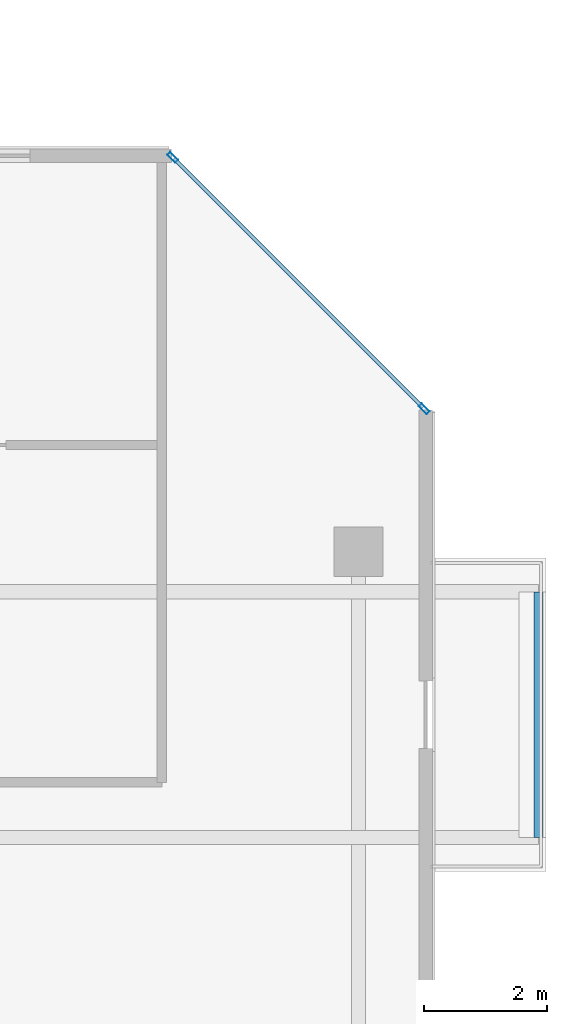
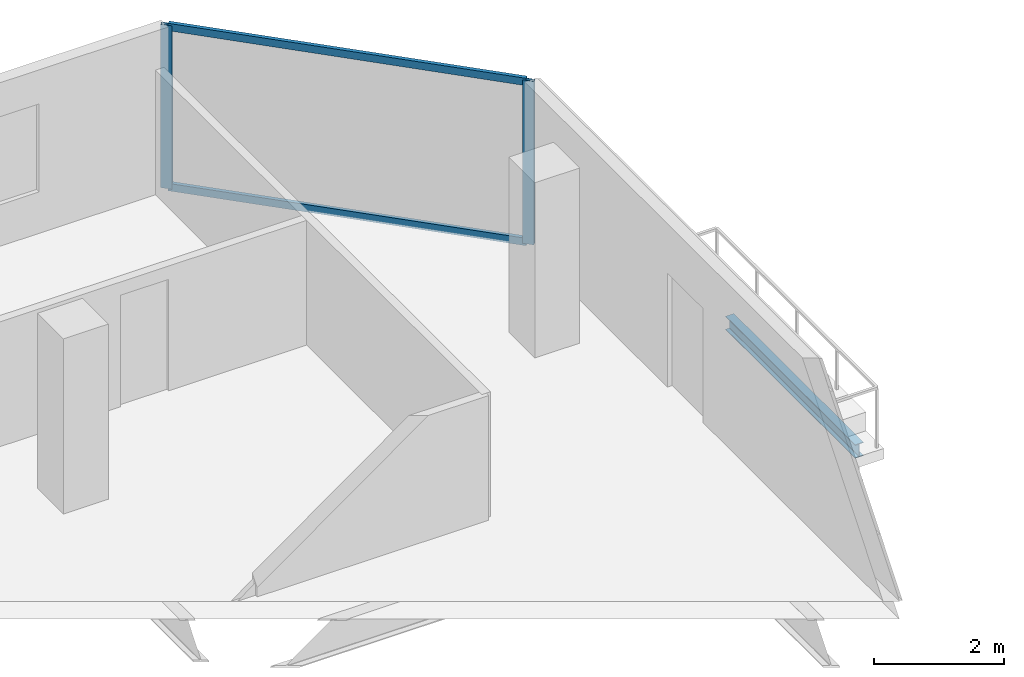
# One storey, part 16 of 29: 4 members, 1 beam, 1 element without a shape of its own.
"""IFC4 building model written with IfcOpenShell, lengths in metres."""

from ifc_helpers import new_model, si_unit, direction, frame, origin, origin_2d, place, context, subcontext, project, spatial, hollow_rectangle, i_section, extrude, material, layer, layer_set, material_profile, profile_set, type_object, element, aggregate, save


model = new_model("IFC4")

# Units and contexts
model_context = context("Model", 3, precision=1e-05, world=origin(), true_north=direction((0.0, 1.0)))
body_context = subcontext(model_context, "Body", "Model", "MODEL_VIEW")
ifc_project = project(units=[si_unit("LENGTHUNIT", "METRE"), si_unit("AREAUNIT", "SQUARE_METRE"), si_unit("VOLUMEUNIT", "CUBIC_METRE"), si_unit("PLANEANGLEUNIT", "RADIAN"), si_unit("MASSUNIT", "GRAM", prefix="KILO")], contexts=[model_context])

# Site, building, storey
site_placement = place(None, origin())
site = spatial("IfcSite", under=ifc_project, at=site_placement, CompositionType="ELEMENT")
building_placement = place(site_placement, origin())
building = spatial("IfcBuilding", under=site, at=building_placement, Name="Tanjung Sevakor Pilgrim Tower", CompositionType="ELEMENT")
storey_placement = place(building_placement, frame((0.0, 0.0, 188.429931640625)))
storey = spatial("IfcBuildingStorey", under=building, at=storey_placement, Name="L52", CompositionType="ELEMENT", Elevation=188.429931640625)

# Beam
ifc_material_1 = material(Name="Steel S355J2", Category="steel")
ifc_material_profile_1 = material_profile(ifc_material_1, i_section(OverallWidth=0.146484375, OverallDepth=0.256103515625, WebThickness=0.00634765625, FlangeThickness=0.010986328125, FilletRadius=0.007568359375, at=origin_2d()))
ifc_profile_set_1 = profile_set([ifc_material_profile_1], Name="Steel S355J2")
beam_type = type_object("IfcBeamType", Name="BM-B-J6-UB_254x146x37", PredefinedType="JOIST", material=ifc_profile_set_1)
beam_placement = place(storey_placement, frame((101.330078125, 43.949951171875, -0.327880859375), z_axis=(0.0, 1.0, 0.0), x_axis=(-1.0, 0.0, 0.0)))
element("IfcBeam", 1, at=beam_placement, inside=storey, type_object=beam_type, Name="L52 Balcony Rim Tie MAIN-E1", PredefinedType="JOIST", context=body_context, shape_type="SweptSolid", body=[
    extrude(i_section(OverallWidth=0.146484375, OverallDepth=0.256103515625, WebThickness=0.00634765625, FlangeThickness=0.010986328125, FilletRadius=0.007568359375, at=origin_2d()), origin(), (0.0, 0.0, 1.0), 4.0),
])

# Curtain wall, members
ifc_material_2 = material(Name="Aluminium 6063-T6 and Low-E Glass", Category="aluminium")
ifc_layer = layer(ifc_material_2, 0.179931640625)
ifc_layer_set = layer_set([ifc_layer], Name="CW-SYS-CHAM")
curtain_wall_type = type_object("IfcCurtainWallType", Name="CW-SYS-CHAM", PredefinedType="NOTDEFINED", material=ifc_layer_set)
curtain_wall_placement = place(storey_placement, origin())
curtain_wall = element("IfcCurtainWall", 2, at=curtain_wall_placement, inside=storey, type_object=curtain_wall_type, Name="L52 Curtain Wall CW-CHM-L52-MAIN-7", PredefinedType="NOTDEFINED")
ifc_material_3 = material(Name="Aluminium 6063-T6", Category="aluminium")
ifc_material_profile_2 = material_profile(ifc_material_3, hollow_rectangle(XDim=0.06494140625, YDim=0.179931640625, WallThickness=0.00390625, at=origin_2d()))
ifc_profile_set_2 = profile_set([ifc_material_profile_2], Name="Aluminium 6063-T6")
member_type_1 = type_object("IfcMemberType", Name="TYPE-CWM-1", PredefinedType="MULLION", material=ifc_profile_set_2)
member_1_placement = place(storey_placement, frame((99.467041015625, 50.927490234375, 0.0), z_axis=(0.0, 0.0, 1.0), x_axis=(-0.707106781187, -0.707106781187, 0.0)))
member_1 = element("IfcMember", 3, at=member_1_placement, type_object=member_type_1, Name="CW-CHM mullion 1", PredefinedType="MULLION", context=body_context, shape_type="SweptSolid", body=[
    extrude(hollow_rectangle(XDim=0.06494140625, YDim=0.179931640625, WallThickness=0.00390625, at=origin_2d()), origin(), (0.0, 0.0, 1.0), 3.080078125),
])
member_2_placement = place(storey_placement, frame((95.37744140625, 55.01708984375, 0.0), z_axis=(0.0, 0.0, 1.0), x_axis=(-0.707106781187, -0.707106781187, 0.0)))
member_2 = element("IfcMember", 4, at=member_2_placement, type_object=member_type_1, Name="CW-CHM mullion 2", PredefinedType="MULLION", context=body_context, shape_type="SweptSolid", body=[
    extrude(hollow_rectangle(XDim=0.06494140625, YDim=0.179931640625, WallThickness=0.00390625, at=origin_2d()), origin(), (0.0, 0.0, 1.0), 3.080078125),
])
ifc_material_4 = material(Name="Aluminium 6063-T6", Category="aluminium")
ifc_material_profile_3 = material_profile(ifc_material_4, hollow_rectangle(XDim=0.06494140625, YDim=0.139892578125, WallThickness=0.00390625, at=origin_2d()))
ifc_profile_set_3 = profile_set([ifc_material_profile_3], Name="Aluminium 6063-T6")
member_type_2 = type_object("IfcMemberType", Name="TYPE-CWT-1", PredefinedType="USERDEFINED", material=ifc_profile_set_3)
member_3_placement = place(storey_placement, frame((99.444091796875, 50.950439453125, 0.032470703125), z_axis=(-0.707106781187, 0.707106781187, 0.0), x_axis=(-0.707106781187, -0.707106781187, 0.0)))
member_3 = element("IfcMember", 5, at=member_3_placement, type_object=member_type_2, Name="CW-CHM transom 1.1", ObjectType="TRANSOM", PredefinedType="USERDEFINED", context=body_context, shape_type="SweptSolid", body=[
    extrude(hollow_rectangle(XDim=0.06494140625, YDim=0.139892578125, WallThickness=0.00390625, at=origin_2d()), origin(), (0.0, 0.0, 1.0), 5.71875),
])
member_4_placement = place(storey_placement, frame((99.444091796875, 50.950439453125, 3.047607421875), z_axis=(-0.707106781187, 0.707106781187, 0.0), x_axis=(-0.707106781187, -0.707106781187, 0.0)))
member_4 = element("IfcMember", 6, at=member_4_placement, type_object=member_type_2, Name="CW-CHM transom 1.2", ObjectType="TRANSOM", PredefinedType="USERDEFINED", context=body_context, shape_type="SweptSolid", body=[
    extrude(hollow_rectangle(XDim=0.06494140625, YDim=0.139892578125, WallThickness=0.00390625, at=origin_2d()), origin(), (0.0, 0.0, 1.0), 5.71875),
])
aggregate(curtain_wall, [member_1, member_2, member_3, member_4])

save(model, "model.ifc")
